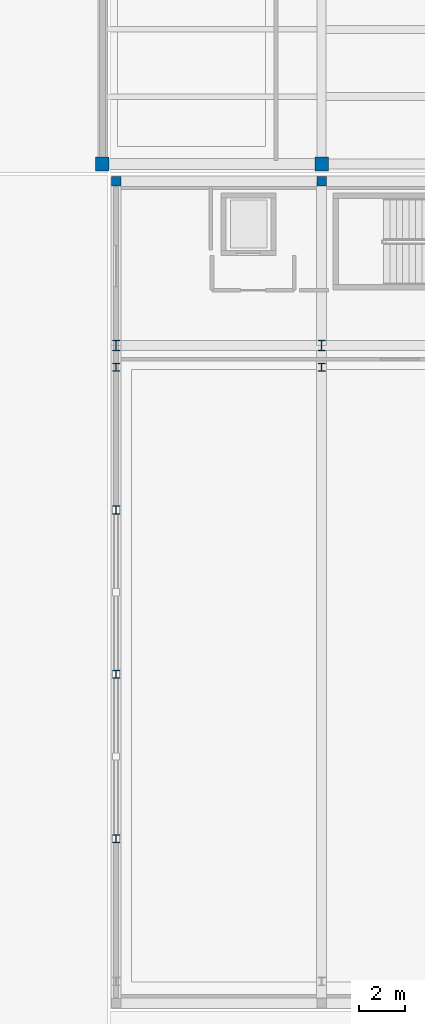
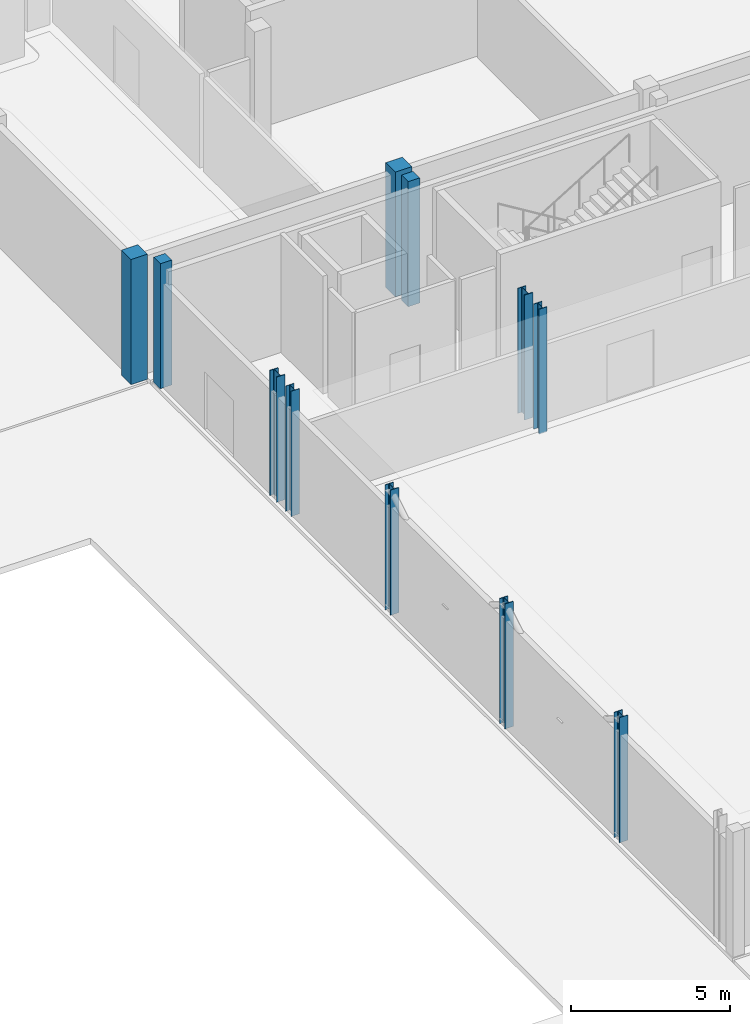
# One storey, part 5 of 151: 11 columns.
"""IFC4 building model written with IfcOpenShell, lengths in metres."""

from ifc_helpers import new_model, si_unit, direction, frame, origin, origin_2d, place, context, subcontext, project, spatial, rectangle, i_section, extrude, material, material_profile, profile_set, type_object, element, save


model = new_model("IFC4")

# Units and contexts
model_context = context("Model", 3, precision=1e-05, world=origin(), true_north=direction((0.0, 1.0)))
body_context = subcontext(model_context, "Body", "Model", "MODEL_VIEW")
ifc_project = project(units=[si_unit("LENGTHUNIT", "METRE"), si_unit("AREAUNIT", "SQUARE_METRE"), si_unit("VOLUMEUNIT", "CUBIC_METRE"), si_unit("PLANEANGLEUNIT", "RADIAN"), si_unit("MASSUNIT", "GRAM", prefix="KILO")], contexts=[model_context])

# Site, building, storey
site_placement = place(None, origin())
site = spatial("IfcSite", under=ifc_project, at=site_placement, CompositionType="ELEMENT")
building_placement = place(site_placement, origin())
building = spatial("IfcBuilding", under=site, at=building_placement, Name="Chiffa Square Polytechnic", CompositionType="ELEMENT")
storey_placement = place(building_placement, origin())
storey = spatial("IfcBuildingStorey", under=building, at=storey_placement, Name="L00", CompositionType="ELEMENT", Elevation=0.0)

# Columns
ifc_material_1 = material(Name="Glulam GL32c", Category="wood")
ifc_material_profile_1 = material_profile(ifc_material_1, rectangle(XDim=0.419921875, YDim=0.419921875, at=origin_2d()), Name="GL32c 420x420")
ifc_profile_set_1 = profile_set([ifc_material_profile_1], Name="Glulam GL32c")
column_type_1 = type_object("IfcColumnType", Name="COL-GL-420", PredefinedType="COLUMN", material=ifc_profile_set_1)
for number, where, z_axis, x_axis, name in (
    (1, (112.199951171875, 94.199951171875, 0.0), (0.0, 0.0, 1.0), (1.0, 0.0, 0.0), "Column C-V2-L00-1122-0942"),
    (2, (121.199951171875, 94.199951171875, 0.0), (0.0, 0.0, 1.0), (1.0, 0.0, 0.0), "Column C-V2-L00-1212-0942"),
):
    element("IfcColumn", number, at=place(storey_placement, frame(where, z_axis=z_axis, x_axis=x_axis)), inside=storey, type_object=column_type_1, Name=name, PredefinedType="COLUMN", context=body_context, shape_type="SweptSolid", body=[
        extrude(rectangle(XDim=0.419921875, YDim=0.419921875, at=origin_2d()), origin(), (0.0, 0.0, 1.0), 4.800048828125),
    ])
ifc_material_2 = material(Name="Concrete C40/50", Category="concrete")
ifc_material_profile_2 = material_profile(ifc_material_2, rectangle(XDim=0.60009765625, YDim=0.60009765625, at=origin_2d()), Name="RC 600x600")
ifc_profile_set_2 = profile_set([ifc_material_profile_2], Name="Concrete C40/50")
column_type_2 = type_object("IfcColumnType", Name="COL-RC-600", PredefinedType="COLUMN", material=ifc_profile_set_2)
for number, where, z_axis, x_axis, name in (
    (3, (111.60009765625, 94.949951171875, 0.0), (0.0, 0.0, 1.0), (1.0, 0.0, 0.0), "Column C-V5-L00-1116-0950"),
    (4, (121.199951171875, 94.949951171875, 0.0), (0.0, 0.0, 1.0), (1.0, 0.0, 0.0), "Column C-V5-L00-1212-0950"),
):
    element("IfcColumn", number, at=place(storey_placement, frame(where, z_axis=z_axis, x_axis=x_axis)), inside=storey, type_object=column_type_2, Name=name, PredefinedType="COLUMN", context=body_context, shape_type="SweptSolid", body=[
        extrude(rectangle(XDim=0.60009765625, YDim=0.60009765625, at=origin_2d()), origin(), (0.0, 0.0, 1.0), 4.800048828125),
    ])
ifc_material_3 = material(Name="Steel S355", Category="steel")
ifc_material_profile_3 = material_profile(ifc_material_3, i_section(OverallWidth=0.300048828125, OverallDepth=0.35009765625, WebThickness=0.010009765625, FlangeThickness=0.017578125, FilletRadius=0.027099609375, at=origin_2d()), Name="HEA 360")
ifc_profile_set_3 = profile_set([ifc_material_profile_3], Name="Steel S355")
column_type_3 = type_object("IfcColumnType", Name="COL-STL-HEA360", PredefinedType="COLUMN", material=ifc_profile_set_3)
for number, where, z_axis, x_axis, name in (
    (5, (112.199951171875, 86.050048828125, 0.0), (0.0, 0.0, 1.0), (1.0, 0.0, 0.0), "Crane stanchion column C-V2-CRN-L00-112-N"),
    (6, (121.199951171875, 86.050048828125, 0.0), (0.0, 0.0, 1.0), (1.0, 0.0, 0.0), "Crane stanchion column C-V2-CRN-L00-121-N"),
):
    element("IfcColumn", number, at=place(storey_placement, frame(where, z_axis=z_axis, x_axis=x_axis)), inside=storey, type_object=column_type_3, Name=name, PredefinedType="COLUMN", context=body_context, shape_type="SweptSolid", body=[
        extrude(i_section(OverallWidth=0.300048828125, OverallDepth=0.35009765625, WebThickness=0.010009765625, FlangeThickness=0.017578125, FilletRadius=0.027099609375, at=origin_2d()), origin(), (0.0, 0.0, 1.0), 4.800048828125),
    ])
ifc_material_profile_4 = material_profile(ifc_material_3, i_section(OverallWidth=0.300048828125, OverallDepth=0.360107421875, WebThickness=0.012451171875, FlangeThickness=0.0224609375, FilletRadius=0.027099609375, at=origin_2d()), Name="HEB 360")
ifc_profile_set_4 = profile_set([ifc_material_profile_4], Name="Steel S355")
column_type_4 = type_object("IfcColumnType", Name="COL-STL-HEB360", PredefinedType="COLUMN", material=ifc_profile_set_4)
for number, where, z_axis, x_axis, name in (
    (7, (112.199951171875, 65.39990234375, 0.0), (0.0, 0.0, 1.0), (1.0, 0.0, 0.0), "Column C-V2-L00-1122-0654"),
    (8, (112.199951171875, 72.60009765625, 0.0), (0.0, 0.0, 1.0), (1.0, 0.0, 0.0), "Column C-V2-L00-1122-0726"),
    (9, (112.199951171875, 79.800048828125, 0.0), (0.0, 0.0, 1.0), (1.0, 0.0, 0.0), "Column C-V2-L00-1122-0798"),
):
    element("IfcColumn", number, at=place(storey_placement, frame(where, z_axis=z_axis, x_axis=x_axis)), inside=storey, type_object=column_type_4, Name=name, PredefinedType="COLUMN", context=body_context, shape_type="SweptSolid", body=[
        extrude(i_section(OverallWidth=0.300048828125, OverallDepth=0.360107421875, WebThickness=0.012451171875, FlangeThickness=0.0224609375, FilletRadius=0.027099609375, at=origin_2d()), origin(), (0.0, 0.0, 1.0), 4.800048828125),
    ])
ifc_material_profile_5 = material_profile(ifc_material_3, i_section(OverallWidth=0.300048828125, OverallDepth=0.449951171875, WebThickness=0.013916015625, FlangeThickness=0.02587890625, FilletRadius=0.027099609375, at=origin_2d()), Name="HEB 450")
ifc_profile_set_5 = profile_set([ifc_material_profile_5], Name="Steel S355")
column_type_5 = type_object("IfcColumnType", Name="COL-STL-HEB450", PredefinedType="COLUMN", material=ifc_profile_set_5)
for number, where, z_axis, x_axis, name in (
    (10, (112.199951171875, 87.0, 0.0), (0.0, 0.0, 1.0), (1.0, 0.0, 0.0), "Column C-V2-L00-1122-0870"),
    (11, (121.199951171875, 87.0, 0.0), (0.0, 0.0, 1.0), (1.0, 0.0, 0.0), "Column C-V2-L00-1212-0870"),
):
    element("IfcColumn", number, at=place(storey_placement, frame(where, z_axis=z_axis, x_axis=x_axis)), inside=storey, type_object=column_type_5, Name=name, PredefinedType="COLUMN", context=body_context, shape_type="SweptSolid", body=[
        extrude(i_section(OverallWidth=0.300048828125, OverallDepth=0.449951171875, WebThickness=0.013916015625, FlangeThickness=0.02587890625, FilletRadius=0.027099609375, at=origin_2d()), origin(), (0.0, 0.0, 1.0), 4.800048828125),
    ])

save(model, "model.ifc")
